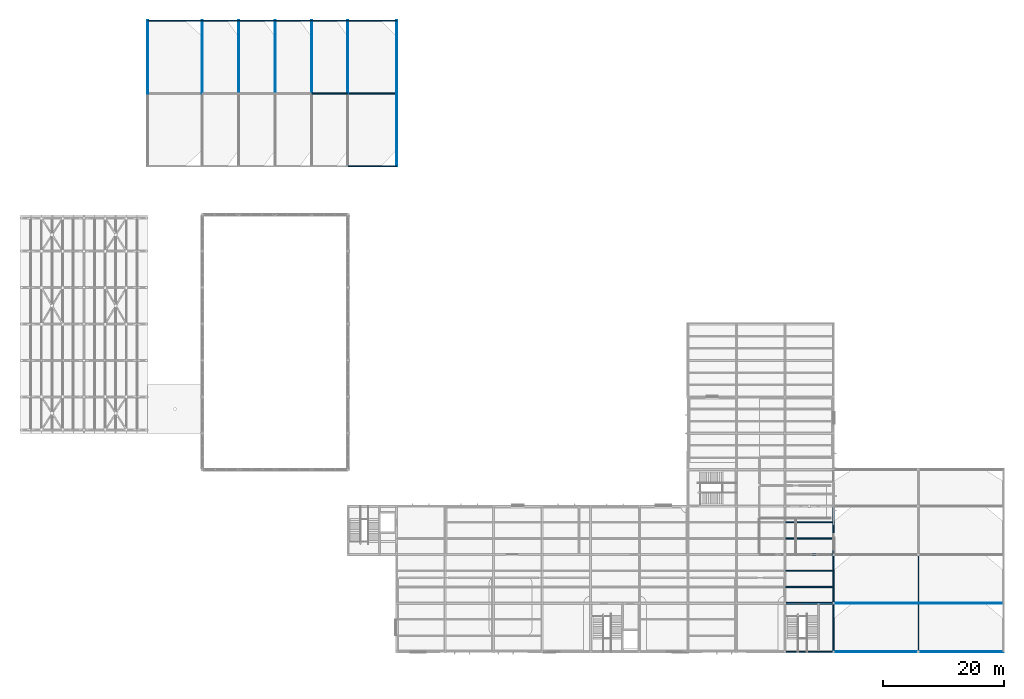
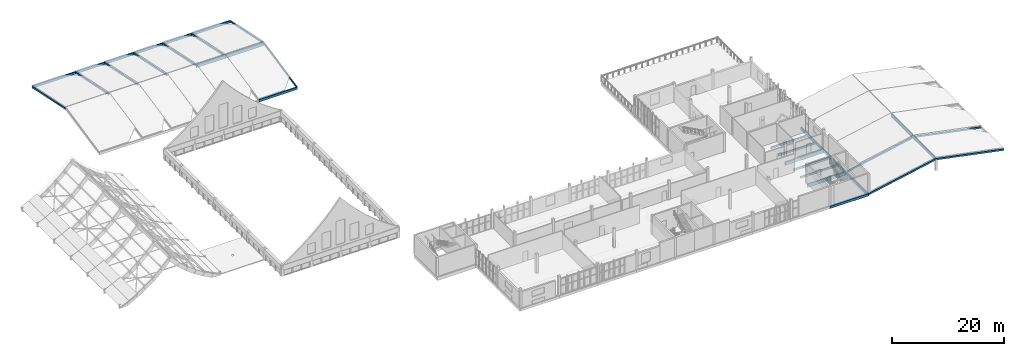
# One storey, part 20 of 45: 32 beams.
"""IFC4 building model written with IfcOpenShell, lengths in metres."""

from ifc_helpers import new_model, si_unit, direction, frame, origin, origin_2d, place, context, subcontext, project, spatial, rectangle, i_section, extrude, material, material_profile, profile_set, type_object, element, save


model = new_model("IFC4")

# Units and contexts
model_context = context("Model", 3, precision=1e-05, world=origin(), true_north=direction((0.0, 1.0)))
body_context = subcontext(model_context, "Body", "Model", "MODEL_VIEW")
ifc_project = project(units=[si_unit("LENGTHUNIT", "METRE"), si_unit("AREAUNIT", "SQUARE_METRE"), si_unit("VOLUMEUNIT", "CUBIC_METRE"), si_unit("PLANEANGLEUNIT", "RADIAN"), si_unit("MASSUNIT", "GRAM", prefix="KILO")], contexts=[model_context])

# Site, building, storey
site_placement = place(None, origin())
site = spatial("IfcSite", under=ifc_project, at=site_placement, CompositionType="ELEMENT")
building_placement = place(site_placement, origin())
building = spatial("IfcBuilding", under=site, at=building_placement, Name="Solvane Community Centre", CompositionType="ELEMENT")
storey_placement = place(building_placement, frame((0.0, 0.0, 13.800048828125)))
storey = spatial("IfcBuildingStorey", under=building, at=storey_placement, Name="L03", CompositionType="ELEMENT", Elevation=13.800048828125)

# Beams
ifc_material_1 = material(Name="Glulam GL28h", Category="wood")
ifc_material_profile_1 = material_profile(ifc_material_1, rectangle(XDim=0.239990234375, YDim=0.60009765625, at=origin_2d()), Name="GL28h 240x600")
ifc_profile_set_1 = profile_set([ifc_material_profile_1], Name="Glulam GL28h")
beam_type_1 = type_object("IfcBeamType", Name="Glulam Floor Beam 240x600", PredefinedType="BEAM", material=ifc_profile_set_1)
for number, where, z_axis, x_axis, name in (
    (1, (140.0, 6.0, -0.52001953125), (0.0, 1.0, 0.0), (-1.0, 0.0, 0.0), "Beam BM-L03-1400_60-1400_140"),
    (2, (140.0, 14.0, -0.52001953125), (0.0, 1.0, 0.0), (-1.0, 0.0, 0.0), "Beam BM-L03-1400_140-1400_220"),
    (3, (140.0, 22.0, -0.52001953125), (0.0, 1.0, 0.0), (-1.0, 0.0, 0.0), "Beam BM-L03-1400_220-1400_300"),
):
    element("IfcBeam", number, at=place(storey_placement, frame(where, z_axis=z_axis, x_axis=x_axis)), inside=storey, type_object=beam_type_1, Name=name, PredefinedType="BEAM", context=body_context, shape_type="SweptSolid", body=[
        extrude(rectangle(XDim=0.239990234375, YDim=0.60009765625, at=origin_2d()), origin(), (0.0, 0.0, 1.0), 8.0),
    ])
ifc_material_profile_2 = material_profile(ifc_material_1, rectangle(XDim=0.179931640625, YDim=0.43994140625, at=origin_2d()), Name="GL28h 180x440")
ifc_profile_set_2 = profile_set([ifc_material_profile_2], Name="Glulam GL28h")
beam_type_2 = type_object("IfcBeamType", Name="Glulam Floor Joist 180x440", PredefinedType="JOIST", material=ifc_profile_set_2)
for number, where, z_axis, x_axis, name in (
    (4, (132.1298828125, 16.666748046875, -0.43994140625), (1.0, 0.0, 0.0), (0.0, 1.0, 0.0), "Beam BM-L03-1321_167-1399_167"),
    (5, (132.1298828125, 19.333251953125, -0.43994140625), (1.0, 0.0, 0.0), (0.0, 1.0, 0.0), "Beam BM-L03-1321_193-1399_193"),
    (6, (132.1298828125, 24.666748046875, -0.43994140625), (1.0, 0.0, 0.0), (0.0, 1.0, 0.0), "Beam BM-L03-1321_247-1399_247"),
    (7, (132.1298828125, 27.333251953125, -0.43994140625), (1.0, 0.0, 0.0), (0.0, 1.0, 0.0), "Beam BM-L03-1321_273-1399_273"),
):
    element("IfcBeam", number, at=place(storey_placement, frame(where, z_axis=z_axis, x_axis=x_axis)), inside=storey, type_object=beam_type_2, Name=name, PredefinedType="JOIST", context=body_context, shape_type="SweptSolid", body=[
        extrude(rectangle(XDim=0.179931640625, YDim=0.43994140625, at=origin_2d()), origin(), (0.0, 0.0, 1.0), 7.740234375),
    ])
ifc_material_profile_3 = material_profile(ifc_material_1, rectangle(XDim=0.280029296875, YDim=0.719970703125, at=origin_2d()), Name="GL28h 280x720")
ifc_profile_set_3 = profile_set([ifc_material_profile_3], Name="Glulam GL28h")
beam_type_3 = type_object("IfcBeamType", Name="Glulam Long-Span Girder 280x720", PredefinedType="USERDEFINED", material=ifc_profile_set_3)
for number, where, z_axis, x_axis, name in (
    (8, (132.0, 14.0, -0.580078125), (1.0, 0.0, 0.0), (0.0, 1.0, 0.0), "Beam BM-L03-1320_140-1400_140"),
    (9, (132.0, 22.0, -0.580078125), (1.0, 0.0, 0.0), (0.0, 1.0, 0.0), "Beam BM-L03-1320_220-1400_220"),
):
    element("IfcBeam", number, at=place(storey_placement, frame(where, z_axis=z_axis, x_axis=x_axis)), inside=storey, type_object=beam_type_3, Name=name, ObjectType="GIRDER", PredefinedType="USERDEFINED", context=body_context, shape_type="SweptSolid", body=[
        extrude(rectangle(XDim=0.280029296875, YDim=0.719970703125, at=origin_2d()), origin(), (0.0, 0.0, 1.0), 8.0),
    ])
ifc_material_profile_4 = material_profile(ifc_material_1, rectangle(XDim=0.260009765625, YDim=0.679931640625, at=origin_2d()), Name="GL28h 260x680")
ifc_profile_set_4 = profile_set([ifc_material_profile_4], Name="Glulam GL28h")
beam_type_4 = type_object("IfcBeamType", Name="Glulam Primary Girder 260x680", PredefinedType="USERDEFINED", material=ifc_profile_set_4)
beam_1_placement = place(storey_placement, frame((54.0, 98.0, 1.9599609375), z_axis=(1.0, 0.0, 0.0), x_axis=(0.0, 1.0, 0.0)))
element("IfcBeam", 10, at=beam_1_placement, inside=storey, type_object=beam_type_4, Name="Beam BM-L03-540_980-600_980", ObjectType="GIRDER", PredefinedType="USERDEFINED", context=body_context, shape_type="SweptSolid", body=[
    extrude(rectangle(XDim=0.260009765625, YDim=0.679931640625, at=origin_2d()), origin(), (0.0, 0.0, 1.0), 6.0),
])
beam_2_placement = place(storey_placement, frame((60.0, 98.0, 1.9599609375), z_axis=(1.0, 0.0, 0.0), x_axis=(0.0, 1.0, 0.0)))
element("IfcBeam", 11, at=beam_2_placement, inside=storey, type_object=beam_type_4, Name="Beam BM-L03-600_980-680_980", ObjectType="GIRDER", PredefinedType="USERDEFINED", context=body_context, shape_type="SweptSolid", body=[
    extrude(rectangle(XDim=0.260009765625, YDim=0.679931640625, at=origin_2d()), origin(), (0.0, 0.0, 1.0), 8.0),
])
ifc_material_profile_5 = material_profile(ifc_material_1, rectangle(XDim=0.159912109375, YDim=0.360107421875, at=origin_2d()), Name="GL28h 160x360")
ifc_profile_set_5 = profile_set([ifc_material_profile_5], Name="Glulam GL28h")
beam_type_5 = type_object("IfcBeamType", Name="Glulam Roof Rafter 160x360", PredefinedType="BEAM", material=ifc_profile_set_5)
for number, where, z_axis, x_axis, name in (
    (12, (140.0, 6.0, -0.425048828125), (0.980580017995, 0.0, 0.196119423591), (0.0, 1.0, 0.0), "Beam BM-L03-1400_60-1540_60"),
    (13, (154.0, 6.0, 2.375), (0.980580017995, 0.0, -0.196119423591), (0.0, 1.0, 0.0), "Beam BM-L03-1540_60-1680_60"),
):
    element("IfcBeam", number, at=place(storey_placement, frame(where, z_axis=z_axis, x_axis=x_axis)), inside=storey, type_object=beam_type_5, Name=name, PredefinedType="BEAM", context=body_context, shape_type="SweptSolid", body=[
        extrude(rectangle(XDim=0.159912109375, YDim=0.360107421875, at=origin_2d()), origin(), (0.0, 0.0, 1.0), 14.27734375),
    ])
for number, where, z_axis, x_axis, name in (
    (14, (140.0, 14.0, -0.425048828125), (0.980294113395, 0.0, 0.197543542652), (0.0, 1.0, 0.0), "Beam BM-L03-1400_140-1539_140"),
    (15, (154.10498046875, 14.0, 2.375), (0.980294113395, 0.0, -0.197543542652), (0.0, 1.0, 0.0), "Beam BM-L03-1541_140-1680_140"),
):
    element("IfcBeam", number, at=place(storey_placement, frame(where, z_axis=z_axis, x_axis=x_axis)), inside=storey, type_object=beam_type_5, Name=name, PredefinedType="BEAM", context=body_context, shape_type="SweptSolid", body=[
        extrude(rectangle(XDim=0.159912109375, YDim=0.360107421875, at=origin_2d()), origin(), (0.0, 0.0, 1.0), 14.17431640625),
    ])
for number, where, z_axis, x_axis, name in (
    (16, (27.0, 98.0, 2.074951171875), (0.0, 0.978980419738, -0.203954254112), (-1.0, 0.0, 0.0), "Beam BM-L03-270_980-270_1100"),
    (17, (36.0, 98.0, 2.074951171875), (0.0, 0.978980419738, -0.203954254112), (-1.0, 0.0, 0.0), "Beam BM-L03-360_980-360_1100"),
    (18, (42.0, 98.0, 2.074951171875), (0.0, 0.978980419738, -0.203954254112), (-1.0, 0.0, 0.0), "Beam BM-L03-420_980-420_1100"),
    (19, (48.0, 98.0, 2.074951171875), (0.0, 0.978980419738, -0.203954254112), (-1.0, 0.0, 0.0), "Beam BM-L03-480_980-480_1100"),
    (20, (54.0, 98.0, 2.074951171875), (0.0, 0.978980419738, -0.203954254112), (-1.0, 0.0, 0.0), "Beam BM-L03-540_980-540_1100"),
    (21, (60.0, 98.0, 2.074951171875), (0.0, 0.978980419738, -0.203954254112), (-1.0, 0.0, 0.0), "Beam BM-L03-600_980-600_1100"),
    (22, (68.0, 86.0, -0.425048828125), (0.0, 0.978980419738, 0.203954254112), (-1.0, 0.0, 0.0), "Beam BM-L03-680_860-680_980"),
    (23, (68.0, 98.0, 2.074951171875), (0.0, 0.978980419738, -0.203954254112), (-1.0, 0.0, 0.0), "Beam BM-L03-680_980-680_1100"),
):
    element("IfcBeam", number, at=place(storey_placement, frame(where, z_axis=z_axis, x_axis=x_axis)), inside=storey, type_object=beam_type_5, Name=name, PredefinedType="BEAM", context=body_context, shape_type="SweptSolid", body=[
        extrude(rectangle(XDim=0.159912109375, YDim=0.360107421875, at=origin_2d()), origin(), (0.0, 0.0, 1.0), 12.257568359375),
    ])
ifc_material_profile_6 = material_profile(ifc_material_1, rectangle(XDim=0.199951171875, YDim=0.52001953125, at=origin_2d()), Name="GL28h 200x520")
ifc_profile_set_6 = profile_set([ifc_material_profile_6], Name="Glulam GL28h")
beam_type_6 = type_object("IfcBeamType", Name="Glulam Spandrel Beam 200x520", PredefinedType="SPANDREL", material=ifc_profile_set_6)
beam_3_placement = place(storey_placement, frame((132.0, 6.0, -0.47998046875), z_axis=(1.0, 0.0, 0.0), x_axis=(0.0, 1.0, 0.0)))
element("IfcBeam", 24, at=beam_3_placement, inside=storey, type_object=beam_type_6, Name="Beam BM-L03-1320_60-1400_60", PredefinedType="SPANDREL", context=body_context, shape_type="SweptSolid", body=[
    extrude(rectangle(XDim=0.199951171875, YDim=0.52001953125, at=origin_2d()), origin(), (0.0, 0.0, 1.0), 8.0),
])
beam_4_placement = place(storey_placement, frame((27.0, 110.0, -0.4599609375), z_axis=(1.0, 0.0, 0.0), x_axis=(0.0, 1.0, 0.0)))
element("IfcBeam", 25, at=beam_4_placement, inside=storey, type_object=beam_type_6, Name="Beam BM-L03-270_1100-360_1100", PredefinedType="SPANDREL", context=body_context, shape_type="SweptSolid", body=[
    extrude(rectangle(XDim=0.199951171875, YDim=0.52001953125, at=origin_2d()), origin(), (0.0, 0.0, 1.0), 9.0),
])
for number, where, z_axis, x_axis, name in (
    (26, (36.0, 110.0, -0.4599609375), (1.0, 0.0, 0.0), (0.0, 1.0, 0.0), "Beam BM-L03-360_1100-420_1100"),
    (27, (42.0, 110.0, -0.4599609375), (1.0, 0.0, 0.0), (0.0, 1.0, 0.0), "Beam BM-L03-420_1100-480_1100"),
    (28, (48.0, 110.0, -0.4599609375), (1.0, 0.0, 0.0), (0.0, 1.0, 0.0), "Beam BM-L03-480_1100-540_1100"),
    (29, (54.0, 110.0, -0.4599609375), (1.0, 0.0, 0.0), (0.0, 1.0, 0.0), "Beam BM-L03-540_1100-600_1100"),
):
    element("IfcBeam", number, at=place(storey_placement, frame(where, z_axis=z_axis, x_axis=x_axis)), inside=storey, type_object=beam_type_6, Name=name, PredefinedType="SPANDREL", context=body_context, shape_type="SweptSolid", body=[
        extrude(rectangle(XDim=0.199951171875, YDim=0.52001953125, at=origin_2d()), origin(), (0.0, 0.0, 1.0), 6.0),
    ])
for number, where, z_axis, x_axis, name in (
    (30, (60.0, 86.0, -0.4599609375), (1.0, 0.0, 0.0), (0.0, 1.0, 0.0), "Beam BM-L03-600_860-680_860"),
    (31, (60.0, 110.0, -0.4599609375), (1.0, 0.0, 0.0), (0.0, 1.0, 0.0), "Beam BM-L03-600_1100-680_1100"),
):
    element("IfcBeam", number, at=place(storey_placement, frame(where, z_axis=z_axis, x_axis=x_axis)), inside=storey, type_object=beam_type_6, Name=name, PredefinedType="SPANDREL", context=body_context, shape_type="SweptSolid", body=[
        extrude(rectangle(XDim=0.199951171875, YDim=0.52001953125, at=origin_2d()), origin(), (0.0, 0.0, 1.0), 8.0),
    ])
ifc_material_2 = material(Name="Steel ASTM A572 Grade 50", Category="steel")
ifc_material_profile_7 = material_profile(ifc_material_2, i_section(OverallWidth=0.2119140625, OverallDepth=0.5439453125, WebThickness=0.01318359375, FlangeThickness=0.021240234375, FilletRadius=0.012939453125, at=origin_2d()), Name="W530x123")
ifc_profile_set_7 = profile_set([ifc_material_profile_7], Name="Steel ASTM A572 Grade 50")
beam_type_7 = type_object("IfcBeamType", Name="Steel Long Gallery Girder W530x123", PredefinedType="USERDEFINED", material=ifc_profile_set_7)
beam_5_placement = place(storey_placement, frame((154.0, 6.0, 2.327880859375), z_axis=(0.0, 1.0, 0.0), x_axis=(-1.0, 0.0, 0.0)))
element("IfcBeam", 32, at=beam_5_placement, inside=storey, type_object=beam_type_7, Name="Beam BM-L03-1540_60-1540_220", ObjectType="GIRDER", PredefinedType="USERDEFINED", context=body_context, shape_type="SweptSolid", body=[
    extrude(i_section(OverallWidth=0.2119140625, OverallDepth=0.5439453125, WebThickness=0.01318359375, FlangeThickness=0.021240234375, FilletRadius=0.012939453125, at=origin_2d()), origin(), (0.0, 0.0, 1.0), 16.0),
])

save(model, "model.ifc")
